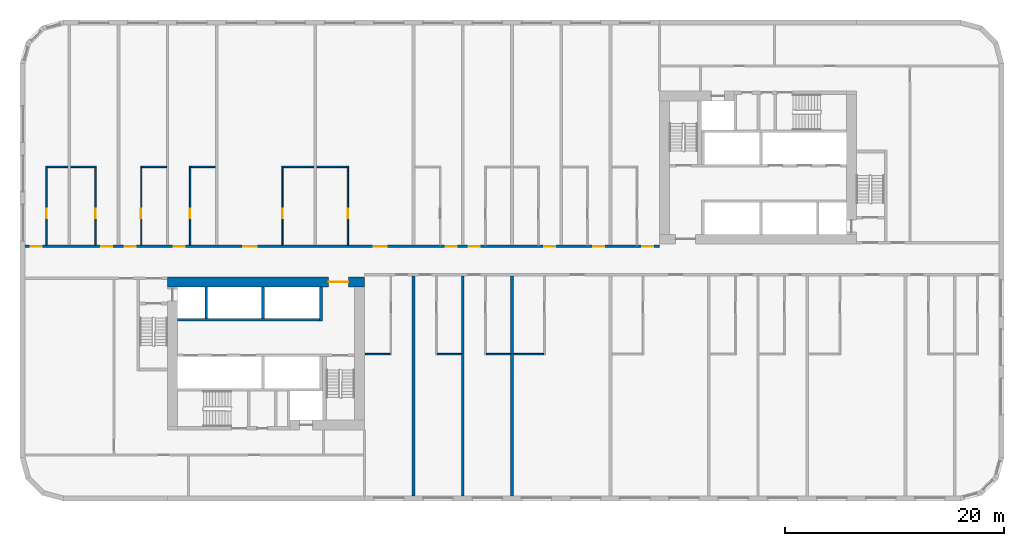
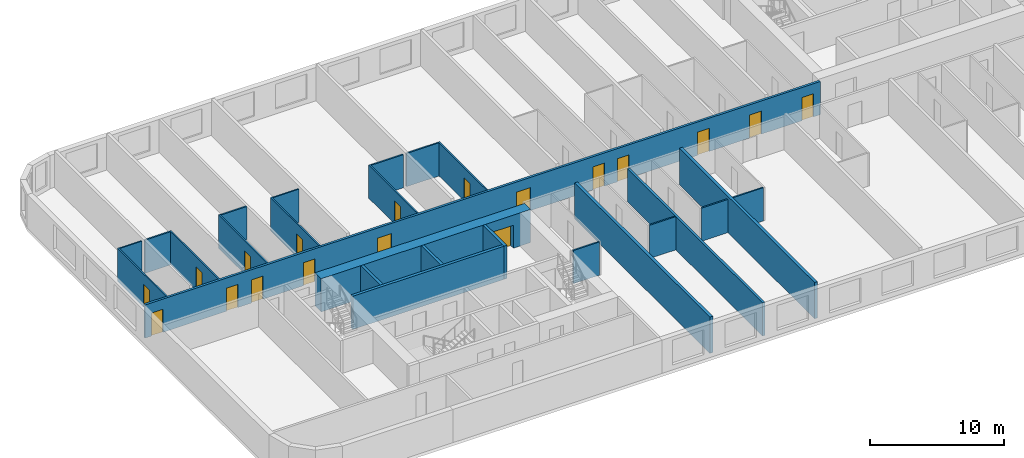
# One storey, part 3 of 12: 25 walls, 18 doors, 18 openings.
"""IFC4 building model written with IfcOpenShell, lengths in metres."""

from ifc_helpers import new_model, si_unit, direction, frame, frame_2d, origin, place, context, subcontext, project, spatial, rectangle, extrude, material, layer, layer_set, type_object, element, fill, save


model = new_model("IFC4")

# Units and contexts
model_context = context("Model", 3, precision=1e-05, world=origin(), true_north=direction((0.0, 1.0)))
body_context = subcontext(model_context, "Body", "Model", "MODEL_VIEW")
ifc_project = project(units=[si_unit("LENGTHUNIT", "METRE"), si_unit("AREAUNIT", "SQUARE_METRE"), si_unit("VOLUMEUNIT", "CUBIC_METRE"), si_unit("PLANEANGLEUNIT", "RADIAN"), si_unit("MASSUNIT", "GRAM", prefix="KILO")], contexts=[model_context])

# Site, building, storey
site_placement = place(None, origin())
site = spatial("IfcSite", under=ifc_project, at=site_placement, CompositionType="ELEMENT")
building_placement = place(site_placement, origin())
building = spatial("IfcBuilding", under=site, at=building_placement, Name="Kajstack Hotel Tower", CompositionType="ELEMENT")
storey_placement = place(building_placement, frame((0.0, 0.0, 76.5)))
storey = spatial("IfcBuildingStorey", under=building, at=storey_placement, Name="L14", CompositionType="ELEMENT", Elevation=76.5)

# Wall, opening, door
ifc_material_1 = material(Name="Concrete C60/75", Category="concrete")
ifc_layer_1 = layer(ifc_material_1, 0.89990234375)
ifc_layer_set_1 = layer_set([ifc_layer_1], Name="Core wall 900")
wall_type_1 = type_object("IfcWallType", Name="Core wall 900", PredefinedType="SHEAR", material=ifc_layer_set_1)
wall_1_placement = place(storey_placement, frame((-31.5, -1.949951171875, 0.0), z_axis=(0.0, 0.0, 1.0), x_axis=(1.0, 0.0, 0.0)))
wall_1 = element("IfcWall", 1, at=wall_1_placement, inside=storey, type_object=wall_type_1, Name="Core wall W RN", PredefinedType="SHEAR", context=body_context, shape_type="SweptSolid", body=[
    extrude(rectangle(XDim=18.0, YDim=0.89990234375, at=frame_2d((9.0, 0.0))), origin(), (0.0, 0.0, 1.0), 3.02001953125),
])
opening_1_placement = place(wall_1_placement, frame((14.72509765625, 0.0, 0.0)))
opening_1 = element("IfcOpeningElement", 2, at=opening_1_placement, cuts=wall_1, Name="Opening 14W06", PredefinedType="OPENING", context=body_context, shape_type="SweptSolid", body=[
    extrude(rectangle(XDim=1.800048828125, YDim=2.10009765625, at=frame_2d((0.89990234375, 1.050048828125))), frame((0.0, 0.4599609375, 0.0), z_axis=(0.0, -1.0, 0.0), x_axis=(1.0, 0.0, 0.0)), (0.0, 0.0, 1.0), 0.919921875),
])
ifc_material_2 = material(Name="Glazed steel frame, fire-rated glass", Category="steel")
door_type_1 = type_object("IfcDoorType", Name="Lobby double door 1800", OperationType="DOUBLE_DOOR_DOUBLE_SWING", PredefinedType="DOOR", material=ifc_material_2)
door_1_placement = place(opening_1_placement, origin())
door_1 = element("IfcDoor", 3, at=door_1_placement, inside=storey, type_object=door_type_1, Name="Door 14W06", OperationType="DOUBLE_DOOR_DOUBLE_SWING", OverallHeight=2.10009765625, OverallWidth=1.800048828125, PredefinedType="DOOR", context=body_context, shape_type="SweptSolid", body=[
    extrude(rectangle(XDim=1.800048828125, YDim=2.10009765625, at=frame_2d((0.89990234375, 1.050048828125))), frame((0.0, 0.02490234375, 0.0), z_axis=(0.0, -1.0, 0.0), x_axis=(1.0, 0.0, 0.0)), (0.0, 0.0, 1.0), 0.050048828125),
])
fill(opening_1, door_1)

# Wall, openings, doors
ifc_material_3 = material(Name="Gypsum board on steel studs, mineral wool", Category="steel")
ifc_layer_2 = layer(ifc_material_3, 0.199951171875)
ifc_layer_set_2 = layer_set([ifc_layer_2], Name="Corridor wall 200")
wall_type_2 = type_object("IfcWallType", Name="Corridor wall 200", PredefinedType="PARTITIONING", material=ifc_layer_set_2)
wall_2_placement = place(storey_placement, frame((-44.550048828125, 1.300048828125, 0.0), z_axis=(0.0, 0.0, 1.0), x_axis=(1.0, 0.0, 0.0)))
wall_2 = element("IfcWall", 4, at=wall_2_placement, inside=storey, type_object=wall_type_2, Name="G-wall-L14-003", PredefinedType="PARTITIONING", context=body_context, shape_type="SweptSolid", body=[
    extrude(rectangle(XDim=58.050048828125, YDim=0.199951171875, at=frame_2d((29.02490234375, 0.0))), origin(), (0.0, 0.0, 1.0), 3.02001953125),
])
opening_2_placement = place(wall_2_placement, frame((0.52490234375, 0.0, 0.0)))
opening_2 = element("IfcOpeningElement", 5, at=opening_2_placement, cuts=wall_2, Name="Opening 14001", PredefinedType="OPENING", context=body_context, shape_type="SweptSolid", body=[
    extrude(rectangle(XDim=1.0, YDim=2.10009765625, at=frame_2d((0.5, 1.050048828125))), frame((0.0, 0.10986328125, 0.0), z_axis=(0.0, -1.0, 0.0), x_axis=(1.0, 0.0, 0.0)), (0.0, 0.0, 1.0), 0.219970703125),
])
opening_3_placement = place(wall_2_placement, frame((6.97509765625, 0.0, 0.0)))
opening_3 = element("IfcOpeningElement", 6, at=opening_3_placement, cuts=wall_2, Name="Opening 14003", PredefinedType="OPENING", context=body_context, shape_type="SweptSolid", body=[
    extrude(rectangle(XDim=1.0, YDim=2.10009765625, at=frame_2d((0.5, 1.050048828125))), frame((0.0, 0.10986328125, 0.0), z_axis=(0.0, -1.0, 0.0), x_axis=(1.0, 0.0, 0.0)), (0.0, 0.0, 1.0), 0.219970703125),
])
opening_4_placement = place(wall_2_placement, frame((9.125, 0.0, 0.0)))
opening_4 = element("IfcOpeningElement", 7, at=opening_4_placement, cuts=wall_2, Name="Opening 14005", PredefinedType="OPENING", context=body_context, shape_type="SweptSolid", body=[
    extrude(rectangle(XDim=1.0, YDim=2.10009765625, at=frame_2d((0.5, 1.050048828125))), frame((0.0, 0.10986328125, 0.0), z_axis=(0.0, -1.0, 0.0), x_axis=(1.0, 0.0, 0.0)), (0.0, 0.0, 1.0), 0.219970703125),
])
opening_5_placement = place(wall_2_placement, frame((13.60009765625, 0.0, 0.0)))
opening_5 = element("IfcOpeningElement", 8, at=opening_5_placement, cuts=wall_2, Name="Opening 14007", PredefinedType="OPENING", context=body_context, shape_type="SweptSolid", body=[
    extrude(rectangle(XDim=1.0, YDim=2.10009765625, at=frame_2d((0.5, 1.050048828125))), frame((0.0, 0.10986328125, 0.0), z_axis=(0.0, -1.0, 0.0), x_axis=(1.0, 0.0, 0.0)), (0.0, 0.0, 1.0), 0.219970703125),
])
opening_6_placement = place(wall_2_placement, frame((19.987060546875, 0.0, 0.0)))
opening_6 = element("IfcOpeningElement", 9, at=opening_6_placement, cuts=wall_2, Name="Opening 14009", PredefinedType="OPENING", context=body_context, shape_type="SweptSolid", body=[
    extrude(rectangle(XDim=1.199951171875, YDim=2.10009765625, at=frame_2d((0.60009765625, 1.050048828125))), frame((0.0, 0.10986328125, 0.0), z_axis=(0.0, -1.0, 0.0), x_axis=(1.0, 0.0, 0.0)), (0.0, 0.0, 1.0), 0.219970703125),
])
opening_7_placement = place(wall_2_placement, frame((31.912109375, 0.0, 0.0)))
opening_7 = element("IfcOpeningElement", 10, at=opening_7_placement, cuts=wall_2, Name="Opening 14011", PredefinedType="OPENING", context=body_context, shape_type="SweptSolid", body=[
    extrude(rectangle(XDim=1.199951171875, YDim=2.10009765625, at=frame_2d((0.60009765625, 1.050048828125))), frame((0.0, 0.10986328125, 0.0), z_axis=(0.0, -1.0, 0.0), x_axis=(1.0, 0.0, 0.0)), (0.0, 0.0, 1.0), 0.219970703125),
])
opening_8_placement = place(wall_2_placement, frame((38.5, 0.0, 0.0)))
opening_8 = element("IfcOpeningElement", 11, at=opening_8_placement, cuts=wall_2, Name="Opening 14013", PredefinedType="OPENING", context=body_context, shape_type="SweptSolid", body=[
    extrude(rectangle(XDim=1.0, YDim=2.10009765625, at=frame_2d((0.5, 1.050048828125))), frame((0.0, 0.10986328125, 0.0), z_axis=(0.0, -1.0, 0.0), x_axis=(1.0, 0.0, 0.0)), (0.0, 0.0, 1.0), 0.219970703125),
])
opening_9_placement = place(wall_2_placement, frame((40.60009765625, 0.0, 0.0)))
opening_9 = element("IfcOpeningElement", 12, at=opening_9_placement, cuts=wall_2, Name="Opening 14015", PredefinedType="OPENING", context=body_context, shape_type="SweptSolid", body=[
    extrude(rectangle(XDim=1.0, YDim=2.10009765625, at=frame_2d((0.5, 1.050048828125))), frame((0.0, 0.10986328125, 0.0), z_axis=(0.0, -1.0, 0.0), x_axis=(1.0, 0.0, 0.0)), (0.0, 0.0, 1.0), 0.219970703125),
])
opening_10_placement = place(wall_2_placement, frame((47.5, 0.0, 0.0)))
opening_10 = element("IfcOpeningElement", 13, at=opening_10_placement, cuts=wall_2, Name="Opening 14017", PredefinedType="OPENING", context=body_context, shape_type="SweptSolid", body=[
    extrude(rectangle(XDim=1.0, YDim=2.10009765625, at=frame_2d((0.5, 1.050048828125))), frame((0.0, 0.10986328125, 0.0), z_axis=(0.0, -1.0, 0.0), x_axis=(1.0, 0.0, 0.0)), (0.0, 0.0, 1.0), 0.219970703125),
])
opening_11_placement = place(wall_2_placement, frame((51.97509765625, 0.0, 0.0)))
opening_11 = element("IfcOpeningElement", 14, at=opening_11_placement, cuts=wall_2, Name="Opening 14019", PredefinedType="OPENING", context=body_context, shape_type="SweptSolid", body=[
    extrude(rectangle(XDim=1.0, YDim=2.10009765625, at=frame_2d((0.5, 1.050048828125))), frame((0.0, 0.10986328125, 0.0), z_axis=(0.0, -1.0, 0.0), x_axis=(1.0, 0.0, 0.0)), (0.0, 0.0, 1.0), 0.219970703125),
])
opening_12_placement = place(wall_2_placement, frame((56.47509765625, 0.0, 0.0)))
opening_12 = element("IfcOpeningElement", 15, at=opening_12_placement, cuts=wall_2, Name="Opening 14021", PredefinedType="OPENING", context=body_context, shape_type="SweptSolid", body=[
    extrude(rectangle(XDim=1.0, YDim=2.10009765625, at=frame_2d((0.5, 1.050048828125))), frame((0.0, 0.10986328125, 0.0), z_axis=(0.0, -1.0, 0.0), x_axis=(1.0, 0.0, 0.0)), (0.0, 0.0, 1.0), 0.219970703125),
])
ifc_material_4 = material(Name="Oak veneer on timber core, fire-rated leaf", Category="wood")
door_type_2 = type_object("IfcDoorType", Name="Flat entrance door 1000", OperationType="SINGLE_SWING_LEFT", PredefinedType="DOOR", material=ifc_material_4)
door_2_placement = place(opening_2_placement, origin())
door_2 = element("IfcDoor", 16, at=door_2_placement, inside=storey, type_object=door_type_2, Name="G-door-L14-01", OperationType="SINGLE_SWING_RIGHT", OverallHeight=2.10009765625, OverallWidth=1.0, PredefinedType="DOOR", context=body_context, shape_type="SweptSolid", body=[
    extrude(rectangle(XDim=1.0, YDim=2.10009765625, at=frame_2d((0.5, 1.050048828125))), frame((0.0, 0.02490234375, 0.0), z_axis=(0.0, -1.0, 0.0), x_axis=(1.0, 0.0, 0.0)), (0.0, 0.0, 1.0), 0.050048828125),
])
fill(opening_2, door_2)
door_3_placement = place(opening_3_placement, origin())
door_3 = element("IfcDoor", 17, at=door_3_placement, inside=storey, type_object=door_type_2, Name="G-door-L14-03", OperationType="SINGLE_SWING_LEFT", OverallHeight=2.10009765625, OverallWidth=1.0, PredefinedType="DOOR", context=body_context, shape_type="SweptSolid", body=[
    extrude(rectangle(XDim=1.0, YDim=2.10009765625, at=frame_2d((0.5, 1.050048828125))), frame((0.0, 0.02490234375, 0.0), z_axis=(0.0, -1.0, 0.0), x_axis=(1.0, 0.0, 0.0)), (0.0, 0.0, 1.0), 0.050048828125),
])
fill(opening_3, door_3)
door_4_placement = place(opening_4_placement, origin())
door_4 = element("IfcDoor", 18, at=door_4_placement, inside=storey, type_object=door_type_2, Name="G-door-L14-05", OperationType="SINGLE_SWING_RIGHT", OverallHeight=2.10009765625, OverallWidth=1.0, PredefinedType="DOOR", context=body_context, shape_type="SweptSolid", body=[
    extrude(rectangle(XDim=1.0, YDim=2.10009765625, at=frame_2d((0.5, 1.050048828125))), frame((0.0, 0.02490234375, 0.0), z_axis=(0.0, -1.0, 0.0), x_axis=(1.0, 0.0, 0.0)), (0.0, 0.0, 1.0), 0.050048828125),
])
fill(opening_4, door_4)
door_5_placement = place(opening_5_placement, origin())
door_5 = element("IfcDoor", 19, at=door_5_placement, inside=storey, type_object=door_type_2, Name="G-door-L14-07", OperationType="SINGLE_SWING_RIGHT", OverallHeight=2.10009765625, OverallWidth=1.0, PredefinedType="DOOR", context=body_context, shape_type="SweptSolid", body=[
    extrude(rectangle(XDim=1.0, YDim=2.10009765625, at=frame_2d((0.5, 1.050048828125))), frame((0.0, 0.02490234375, 0.0), z_axis=(0.0, -1.0, 0.0), x_axis=(1.0, 0.0, 0.0)), (0.0, 0.0, 1.0), 0.050048828125),
])
fill(opening_5, door_5)
door_6_placement = place(opening_8_placement, origin())
door_6 = element("IfcDoor", 20, at=door_6_placement, inside=storey, type_object=door_type_2, Name="G-door-L14-13", OperationType="SINGLE_SWING_RIGHT", OverallHeight=2.10009765625, OverallWidth=1.0, PredefinedType="DOOR", context=body_context, shape_type="SweptSolid", body=[
    extrude(rectangle(XDim=1.0, YDim=2.10009765625, at=frame_2d((0.5, 1.050048828125))), frame((0.0, 0.02490234375, 0.0), z_axis=(0.0, -1.0, 0.0), x_axis=(1.0, 0.0, 0.0)), (0.0, 0.0, 1.0), 0.050048828125),
])
fill(opening_8, door_6)
door_7_placement = place(opening_9_placement, origin())
door_7 = element("IfcDoor", 21, at=door_7_placement, inside=storey, type_object=door_type_2, Name="G-door-L14-15", OperationType="SINGLE_SWING_RIGHT", OverallHeight=2.10009765625, OverallWidth=1.0, PredefinedType="DOOR", context=body_context, shape_type="SweptSolid", body=[
    extrude(rectangle(XDim=1.0, YDim=2.10009765625, at=frame_2d((0.5, 1.050048828125))), frame((0.0, 0.02490234375, 0.0), z_axis=(0.0, -1.0, 0.0), x_axis=(1.0, 0.0, 0.0)), (0.0, 0.0, 1.0), 0.050048828125),
])
fill(opening_9, door_7)
door_8_placement = place(opening_10_placement, origin())
door_8 = element("IfcDoor", 22, at=door_8_placement, inside=storey, type_object=door_type_2, Name="G-door-L14-17", OperationType="SINGLE_SWING_RIGHT", OverallHeight=2.10009765625, OverallWidth=1.0, PredefinedType="DOOR", context=body_context, shape_type="SweptSolid", body=[
    extrude(rectangle(XDim=1.0, YDim=2.10009765625, at=frame_2d((0.5, 1.050048828125))), frame((0.0, 0.02490234375, 0.0), z_axis=(0.0, -1.0, 0.0), x_axis=(1.0, 0.0, 0.0)), (0.0, 0.0, 1.0), 0.050048828125),
])
fill(opening_10, door_8)
door_9_placement = place(opening_11_placement, origin())
door_9 = element("IfcDoor", 23, at=door_9_placement, inside=storey, type_object=door_type_2, Name="G-door-L14-19", OperationType="SINGLE_SWING_LEFT", OverallHeight=2.10009765625, OverallWidth=1.0, PredefinedType="DOOR", context=body_context, shape_type="SweptSolid", body=[
    extrude(rectangle(XDim=1.0, YDim=2.10009765625, at=frame_2d((0.5, 1.050048828125))), frame((0.0, 0.02490234375, 0.0), z_axis=(0.0, -1.0, 0.0), x_axis=(1.0, 0.0, 0.0)), (0.0, 0.0, 1.0), 0.050048828125),
])
fill(opening_11, door_9)
door_10_placement = place(opening_12_placement, origin())
door_10 = element("IfcDoor", 24, at=door_10_placement, inside=storey, type_object=door_type_2, Name="G-door-L14-21", OperationType="SINGLE_SWING_LEFT", OverallHeight=2.10009765625, OverallWidth=1.0, PredefinedType="DOOR", context=body_context, shape_type="SweptSolid", body=[
    extrude(rectangle(XDim=1.0, YDim=2.10009765625, at=frame_2d((0.5, 1.050048828125))), frame((0.0, 0.02490234375, 0.0), z_axis=(0.0, -1.0, 0.0), x_axis=(1.0, 0.0, 0.0)), (0.0, 0.0, 1.0), 0.050048828125),
])
fill(opening_12, door_10)
door_type_3 = type_object("IfcDoorType", Name="Flat entrance door 1200", OperationType="SINGLE_SWING_LEFT", PredefinedType="DOOR", material=ifc_material_4)
door_11_placement = place(opening_6_placement, origin())
door_11 = element("IfcDoor", 25, at=door_11_placement, inside=storey, type_object=door_type_3, Name="G-door-L14-09", OperationType="SINGLE_SWING_RIGHT", OverallHeight=2.10009765625, OverallWidth=1.199951171875, PredefinedType="DOOR", context=body_context, shape_type="SweptSolid", body=[
    extrude(rectangle(XDim=1.199951171875, YDim=2.10009765625, at=frame_2d((0.60009765625, 1.050048828125))), frame((0.0, 0.02490234375, 0.0), z_axis=(0.0, -1.0, 0.0), x_axis=(1.0, 0.0, 0.0)), (0.0, 0.0, 1.0), 0.050048828125),
])
fill(opening_6, door_11)
door_12_placement = place(opening_7_placement, origin())
door_12 = element("IfcDoor", 26, at=door_12_placement, inside=storey, type_object=door_type_3, Name="G-door-L14-11", OperationType="SINGLE_SWING_RIGHT", OverallHeight=2.10009765625, OverallWidth=1.199951171875, PredefinedType="DOOR", context=body_context, shape_type="SweptSolid", body=[
    extrude(rectangle(XDim=1.199951171875, YDim=2.10009765625, at=frame_2d((0.60009765625, 1.050048828125))), frame((0.0, 0.02490234375, 0.0), z_axis=(0.0, -1.0, 0.0), x_axis=(1.0, 0.0, 0.0)), (0.0, 0.0, 1.0), 0.050048828125),
])
fill(opening_7, door_12)

# Wall
ifc_material_5 = material(Name="Twin-frame gypsum board on steel studs, mineral wool", Category="steel")
ifc_layer_3 = layer(ifc_material_5, 0.199951171875)
ifc_layer_set_3 = layer_set([ifc_layer_3], Name="Demising wall 200")
wall_type_3 = type_object("IfcWallType", Name="Demising wall 200", PredefinedType="PARTITIONING", material=ifc_layer_set_3)
wall_3_placement = place(storey_placement, frame((-4.5, -21.550048828125, 0.0), z_axis=(0.0, 0.0, 1.0), x_axis=(0.0, 1.0, 0.0)))
element("IfcWall", 27, at=wall_3_placement, inside=storey, type_object=wall_type_3, Name="G-wall-L14-032", PredefinedType="PARTITIONING", context=body_context, shape_type="SweptSolid", body=[
    extrude(rectangle(XDim=20.150146484375, YDim=0.199951171875, at=frame_2d((10.0751953125, 0.0))), origin(), (0.0, 0.0, 1.0), 3.02001953125),
])

# Wall, opening, door
ifc_material_6 = material(Name="Gypsum board and tiled backer on steel studs", Category="steel")
ifc_layer_4 = layer(ifc_material_6, 0.125)
ifc_layer_set_4 = layer_set([ifc_layer_4], Name="En-suite wall 125")
wall_type_4 = type_object("IfcWallType", Name="En-suite wall 125", PredefinedType="PARTITIONING", material=ifc_layer_set_4)
wall_4_placement = place(storey_placement, frame((-42.5869140625, 1.39990234375, 0.0), z_axis=(0.0, 0.0, 1.0), x_axis=(0.0, 1.0, 0.0)))
wall_4 = element("IfcWall", 28, at=wall_4_placement, inside=storey, type_object=wall_type_4, Name="G-wall-L14-004", PredefinedType="PARTITIONING", context=body_context, shape_type="SweptSolid", body=[
    extrude(rectangle(XDim=7.22509765625, YDim=0.125, at=frame_2d((3.612548828125, 0.0))), origin(), (0.0, 0.0, 1.0), 3.02001953125),
])
opening_13_placement = place(wall_4_placement, frame((2.449951171875, 0.0, 0.0)))
opening_13 = element("IfcOpeningElement", 29, at=opening_13_placement, cuts=wall_4, Name="Opening 14002", PredefinedType="OPENING", context=body_context, shape_type="SweptSolid", body=[
    extrude(rectangle(XDim=0.89990234375, YDim=2.10009765625, at=frame_2d((0.449951171875, 1.050048828125))), frame((0.0, 0.072509765625, 0.0), z_axis=(0.0, -1.0, 0.0), x_axis=(1.0, 0.0, 0.0)), (0.0, 0.0, 1.0), 0.14501953125),
])
ifc_material_7 = material(Name="Painted timber door leaf", Category="wood")
door_type_4 = type_object("IfcDoorType", Name="Room door 900", OperationType="SINGLE_SWING_LEFT", PredefinedType="DOOR", material=ifc_material_7)
door_13_placement = place(opening_13_placement, origin())
door_13 = element("IfcDoor", 30, at=door_13_placement, inside=storey, type_object=door_type_4, Name="G-door-L14-02", OperationType="SINGLE_SWING_LEFT", OverallHeight=2.10009765625, OverallWidth=0.89990234375, PredefinedType="DOOR", context=body_context, shape_type="SweptSolid", body=[
    extrude(rectangle(XDim=0.89990234375, YDim=2.10009765625, at=frame_2d((0.449951171875, 1.050048828125))), frame((0.0, 0.02490234375, 0.0), z_axis=(0.0, -1.0, 0.0), x_axis=(1.0, 0.0, 0.0)), (0.0, 0.0, 1.0), 0.050048828125),
])
fill(opening_13, door_13)

# Wall
wall_5_placement = place(storey_placement, frame((-42.52490234375, 8.56201171875, 0.0), z_axis=(0.0, 0.0, 1.0), x_axis=(1.0, 0.0, 0.0)))
element("IfcWall", 31, at=wall_5_placement, inside=storey, type_object=wall_type_4, Name="G-wall-L14-005", PredefinedType="PARTITIONING", context=body_context, shape_type="SweptSolid", body=[
    extrude(rectangle(XDim=1.89990234375, YDim=0.125, at=frame_2d((0.949951171875, 0.0))), origin(), (0.0, 0.0, 1.0), 3.02001953125),
])

# Wall, opening, door
wall_6_placement = place(storey_placement, frame((-38.0869140625, 1.39990234375, 0.0), z_axis=(0.0, 0.0, 1.0), x_axis=(0.0, 1.0, 0.0)))
wall_6 = element("IfcWall", 32, at=wall_6_placement, inside=storey, type_object=wall_type_4, Name="G-wall-L14-006", PredefinedType="PARTITIONING", context=body_context, shape_type="SweptSolid", body=[
    extrude(rectangle(XDim=7.22509765625, YDim=0.125, at=frame_2d((3.612548828125, 0.0))), origin(), (0.0, 0.0, 1.0), 3.02001953125),
])
opening_14_placement = place(wall_6_placement, frame((2.449951171875, 0.0, 0.0)))
opening_14 = element("IfcOpeningElement", 33, at=opening_14_placement, cuts=wall_6, Name="Opening 14004", PredefinedType="OPENING", context=body_context, shape_type="SweptSolid", body=[
    extrude(rectangle(XDim=0.89990234375, YDim=2.10009765625, at=frame_2d((0.449951171875, 1.050048828125))), frame((0.0, 0.072509765625, 0.0), z_axis=(0.0, -1.0, 0.0), x_axis=(1.0, 0.0, 0.0)), (0.0, 0.0, 1.0), 0.14501953125),
])
door_14_placement = place(opening_14_placement, origin())
door_14 = element("IfcDoor", 34, at=door_14_placement, inside=storey, type_object=door_type_4, Name="G-door-L14-04", OperationType="SINGLE_SWING_RIGHT", OverallHeight=2.10009765625, OverallWidth=0.89990234375, PredefinedType="DOOR", context=body_context, shape_type="SweptSolid", body=[
    extrude(rectangle(XDim=0.89990234375, YDim=2.10009765625, at=frame_2d((0.449951171875, 1.050048828125))), frame((0.0, 0.02490234375, 0.0), z_axis=(0.0, -1.0, 0.0), x_axis=(1.0, 0.0, 0.0)), (0.0, 0.0, 1.0), 0.050048828125),
])
fill(opening_14, door_14)

# Wall
wall_7_placement = place(storey_placement, frame((-40.375, 8.56201171875, 0.0), z_axis=(0.0, 0.0, 1.0), x_axis=(1.0, 0.0, 0.0)))
element("IfcWall", 35, at=wall_7_placement, inside=storey, type_object=wall_type_4, Name="G-wall-L14-007", PredefinedType="PARTITIONING", context=body_context, shape_type="SweptSolid", body=[
    extrude(rectangle(XDim=2.22509765625, YDim=0.125, at=frame_2d((1.112548828125, 0.0))), origin(), (0.0, 0.0, 1.0), 3.02001953125),
])

# Wall, opening, door
wall_8_placement = place(storey_placement, frame((-33.9130859375, 1.39990234375, 0.0), z_axis=(0.0, 0.0, 1.0), x_axis=(0.0, 1.0, 0.0)))
wall_8 = element("IfcWall", 36, at=wall_8_placement, inside=storey, type_object=wall_type_4, Name="G-wall-L14-009", PredefinedType="PARTITIONING", context=body_context, shape_type="SweptSolid", body=[
    extrude(rectangle(XDim=7.22509765625, YDim=0.125, at=frame_2d((3.612548828125, 0.0))), origin(), (0.0, 0.0, 1.0), 3.02001953125),
])
opening_15_placement = place(wall_8_placement, frame((2.449951171875, 0.0, 0.0)))
opening_15 = element("IfcOpeningElement", 37, at=opening_15_placement, cuts=wall_8, Name="Opening 14006", PredefinedType="OPENING", context=body_context, shape_type="SweptSolid", body=[
    extrude(rectangle(XDim=0.89990234375, YDim=2.10009765625, at=frame_2d((0.449951171875, 1.050048828125))), frame((0.0, 0.072509765625, 0.0), z_axis=(0.0, -1.0, 0.0), x_axis=(1.0, 0.0, 0.0)), (0.0, 0.0, 1.0), 0.14501953125),
])
door_15_placement = place(opening_15_placement, origin())
door_15 = element("IfcDoor", 38, at=door_15_placement, inside=storey, type_object=door_type_4, Name="G-door-L14-06", OperationType="SINGLE_SWING_RIGHT", OverallHeight=2.10009765625, OverallWidth=0.89990234375, PredefinedType="DOOR", context=body_context, shape_type="SweptSolid", body=[
    extrude(rectangle(XDim=0.89990234375, YDim=2.10009765625, at=frame_2d((0.449951171875, 1.050048828125))), frame((0.0, 0.02490234375, 0.0), z_axis=(0.0, -1.0, 0.0), x_axis=(1.0, 0.0, 0.0)), (0.0, 0.0, 1.0), 0.050048828125),
])
fill(opening_15, door_15)

# Wall
wall_9_placement = place(storey_placement, frame((-33.85009765625, 8.56201171875, 0.0), z_axis=(0.0, 0.0, 1.0), x_axis=(1.0, 0.0, 0.0)))
element("IfcWall", 39, at=wall_9_placement, inside=storey, type_object=wall_type_4, Name="G-wall-L14-010", PredefinedType="PARTITIONING", context=body_context, shape_type="SweptSolid", body=[
    extrude(rectangle(XDim=2.25, YDim=0.125, at=frame_2d((1.125, 0.0))), origin(), (0.0, 0.0, 1.0), 3.02001953125),
])

# Wall, opening, door
wall_10_placement = place(storey_placement, frame((-29.43798828125, 1.39990234375, 0.0), z_axis=(0.0, 0.0, 1.0), x_axis=(0.0, 1.0, 0.0)))
wall_10 = element("IfcWall", 40, at=wall_10_placement, inside=storey, type_object=wall_type_4, Name="G-wall-L14-011", PredefinedType="PARTITIONING", context=body_context, shape_type="SweptSolid", body=[
    extrude(rectangle(XDim=7.22509765625, YDim=0.125, at=frame_2d((3.612548828125, 0.0))), origin(), (0.0, 0.0, 1.0), 3.02001953125),
])
opening_16_placement = place(wall_10_placement, frame((2.449951171875, 0.0, 0.0)))
opening_16 = element("IfcOpeningElement", 41, at=opening_16_placement, cuts=wall_10, Name="Opening 14008", PredefinedType="OPENING", context=body_context, shape_type="SweptSolid", body=[
    extrude(rectangle(XDim=0.89990234375, YDim=2.10009765625, at=frame_2d((0.449951171875, 1.050048828125))), frame((0.0, 0.072509765625, 0.0), z_axis=(0.0, -1.0, 0.0), x_axis=(1.0, 0.0, 0.0)), (0.0, 0.0, 1.0), 0.14501953125),
])
door_16_placement = place(opening_16_placement, origin())
door_16 = element("IfcDoor", 42, at=door_16_placement, inside=storey, type_object=door_type_4, Name="G-door-L14-08", OperationType="SINGLE_SWING_LEFT", OverallHeight=2.10009765625, OverallWidth=0.89990234375, PredefinedType="DOOR", context=body_context, shape_type="SweptSolid", body=[
    extrude(rectangle(XDim=0.89990234375, YDim=2.10009765625, at=frame_2d((0.449951171875, 1.050048828125))), frame((0.0, 0.02490234375, 0.0), z_axis=(0.0, -1.0, 0.0), x_axis=(1.0, 0.0, 0.0)), (0.0, 0.0, 1.0), 0.050048828125),
])
fill(opening_16, door_16)

# Wall
wall_11_placement = place(storey_placement, frame((-29.375, 8.56201171875, 0.0), z_axis=(0.0, 0.0, 1.0), x_axis=(1.0, 0.0, 0.0)))
element("IfcWall", 43, at=wall_11_placement, inside=storey, type_object=wall_type_4, Name="G-wall-L14-012", PredefinedType="PARTITIONING", context=body_context, shape_type="SweptSolid", body=[
    extrude(rectangle(XDim=2.25, YDim=0.125, at=frame_2d((1.125, 0.0))), origin(), (0.0, 0.0, 1.0), 3.02001953125),
])

# Wall, opening, door
wall_12_placement = place(storey_placement, frame((-20.988037109375, 1.39990234375, 0.0), z_axis=(0.0, 0.0, 1.0), x_axis=(0.0, 1.0, 0.0)))
wall_12 = element("IfcWall", 44, at=wall_12_placement, inside=storey, type_object=wall_type_4, Name="G-wall-L14-013", PredefinedType="PARTITIONING", context=body_context, shape_type="SweptSolid", body=[
    extrude(rectangle(XDim=7.22509765625, YDim=0.125, at=frame_2d((3.612548828125, 0.0))), origin(), (0.0, 0.0, 1.0), 3.02001953125),
])
opening_17_placement = place(wall_12_placement, frame((2.449951171875, 0.0, 0.0)))
opening_17 = element("IfcOpeningElement", 45, at=opening_17_placement, cuts=wall_12, Name="Opening 14010", PredefinedType="OPENING", context=body_context, shape_type="SweptSolid", body=[
    extrude(rectangle(XDim=0.89990234375, YDim=2.10009765625, at=frame_2d((0.449951171875, 1.050048828125))), frame((0.0, 0.072509765625, 0.0), z_axis=(0.0, -1.0, 0.0), x_axis=(1.0, 0.0, 0.0)), (0.0, 0.0, 1.0), 0.14501953125),
])
door_17_placement = place(opening_17_placement, origin())
door_17 = element("IfcDoor", 46, at=door_17_placement, inside=storey, type_object=door_type_4, Name="G-door-L14-10", OperationType="SINGLE_SWING_RIGHT", OverallHeight=2.10009765625, OverallWidth=0.89990234375, PredefinedType="DOOR", context=body_context, shape_type="SweptSolid", body=[
    extrude(rectangle(XDim=0.89990234375, YDim=2.10009765625, at=frame_2d((0.449951171875, 1.050048828125))), frame((0.0, 0.02490234375, 0.0), z_axis=(0.0, -1.0, 0.0), x_axis=(1.0, 0.0, 0.0)), (0.0, 0.0, 1.0), 0.050048828125),
])
fill(opening_17, door_17)

# Wall
wall_13_placement = place(storey_placement, frame((-20.925048828125, 8.56201171875, 0.0), z_axis=(0.0, 0.0, 1.0), x_axis=(1.0, 0.0, 0.0)))
element("IfcWall", 47, at=wall_13_placement, inside=storey, type_object=wall_type_4, Name="G-wall-L14-014", PredefinedType="PARTITIONING", context=body_context, shape_type="SweptSolid", body=[
    extrude(rectangle(XDim=2.800048828125, YDim=0.125, at=frame_2d((1.39990234375, 0.0))), origin(), (0.0, 0.0, 1.0), 3.02001953125),
])

# Wall, opening, door
wall_14_placement = place(storey_placement, frame((-15.011962890625, 1.39990234375, 0.0), z_axis=(0.0, 0.0, 1.0), x_axis=(0.0, 1.0, 0.0)))
wall_14 = element("IfcWall", 48, at=wall_14_placement, inside=storey, type_object=wall_type_4, Name="G-wall-L14-015", PredefinedType="PARTITIONING", context=body_context, shape_type="SweptSolid", body=[
    extrude(rectangle(XDim=7.22509765625, YDim=0.125, at=frame_2d((3.612548828125, 0.0))), origin(), (0.0, 0.0, 1.0), 3.02001953125),
])
opening_18_placement = place(wall_14_placement, frame((2.449951171875, 0.0, 0.0)))
opening_18 = element("IfcOpeningElement", 49, at=opening_18_placement, cuts=wall_14, Name="Opening 14012", PredefinedType="OPENING", context=body_context, shape_type="SweptSolid", body=[
    extrude(rectangle(XDim=0.89990234375, YDim=2.10009765625, at=frame_2d((0.449951171875, 1.050048828125))), frame((0.0, 0.072509765625, 0.0), z_axis=(0.0, -1.0, 0.0), x_axis=(1.0, 0.0, 0.0)), (0.0, 0.0, 1.0), 0.14501953125),
])
door_18_placement = place(opening_18_placement, origin())
door_18 = element("IfcDoor", 50, at=door_18_placement, inside=storey, type_object=door_type_4, Name="G-door-L14-12", OperationType="SINGLE_SWING_RIGHT", OverallHeight=2.10009765625, OverallWidth=0.89990234375, PredefinedType="DOOR", context=body_context, shape_type="SweptSolid", body=[
    extrude(rectangle(XDim=0.89990234375, YDim=2.10009765625, at=frame_2d((0.449951171875, 1.050048828125))), frame((0.0, 0.02490234375, 0.0), z_axis=(0.0, -1.0, 0.0), x_axis=(1.0, 0.0, 0.0)), (0.0, 0.0, 1.0), 0.050048828125),
])
fill(opening_18, door_18)

# Walls
wall_15_placement = place(storey_placement, frame((-17.875, 8.56201171875, 0.0), z_axis=(0.0, 0.0, 1.0), x_axis=(1.0, 0.0, 0.0)))
element("IfcWall", 51, at=wall_15_placement, inside=storey, type_object=wall_type_4, Name="G-wall-L14-016", PredefinedType="PARTITIONING", context=body_context, shape_type="SweptSolid", body=[
    extrude(rectangle(XDim=2.800048828125, YDim=0.125, at=frame_2d((1.39990234375, 0.0))), origin(), (0.0, 0.0, 1.0), 3.02001953125),
])
for number, where, z_axis, x_axis, name in (
    (52, (-13.39990234375, -8.56201171875, 0.0), (0.0, 0.0, 1.0), (1.0, 0.0, 0.0), "G-wall-L14-031"),
    (53, (-6.85009765625, -8.56201171875, 0.0), (0.0, 0.0, 1.0), (1.0, 0.0, 0.0), "G-wall-L14-034"),
    (54, (-2.375, -8.56201171875, 0.0), (0.0, 0.0, 1.0), (1.0, 0.0, 0.0), "G-wall-L14-036"),
):
    element("IfcWall", number, at=place(storey_placement, frame(where, z_axis=z_axis, x_axis=x_axis)), inside=storey, type_object=wall_type_4, Name=name, PredefinedType="PARTITIONING", context=body_context, shape_type="SweptSolid", body=[
        extrude(rectangle(XDim=2.25, YDim=0.125, at=frame_2d((1.125, 0.0))), origin(), (0.0, 0.0, 1.0), 3.02001953125),
    ])
wall_16_placement = place(storey_placement, frame((0.125, -8.56201171875, 0.0), z_axis=(0.0, 0.0, 1.0), x_axis=(1.0, 0.0, 0.0)))
element("IfcWall", 55, at=wall_16_placement, inside=storey, type_object=wall_type_4, Name="G-wall-L14-038", PredefinedType="PARTITIONING", context=body_context, shape_type="SweptSolid", body=[
    extrude(rectangle(XDim=2.800048828125, YDim=0.125, at=frame_2d((1.39990234375, 0.0))), origin(), (0.0, 0.0, 1.0), 3.02001953125),
])
ifc_material_8 = material(Name="Concrete C50/60", Category="concrete")
ifc_layer_5 = layer(ifc_material_8, 0.300048828125)
ifc_layer_set_5 = layer_set([ifc_layer_5], Name="Hoistway divider wall 300")
wall_type_5 = type_object("IfcWallType", Name="Hoistway divider wall 300", PredefinedType="SHEAR", material=ifc_layer_set_5)
wall_17_placement = place(storey_placement, frame((-22.77490234375, -5.300048828125, 0.0), z_axis=(0.0, 0.0, 1.0), x_axis=(0.0, 1.0, 0.0)))
element("IfcWall", 56, at=wall_17_placement, inside=storey, type_object=wall_type_5, Name="Core wall W AP2", PredefinedType="SHEAR", context=body_context, shape_type="SweptSolid", body=[
    extrude(rectangle(XDim=2.900146484375, YDim=0.25, at=frame_2d((1.4501953125, 0.0))), origin(), (0.0, 0.0, 1.0), 3.02001953125),
])
ifc_layer_6 = layer(ifc_material_1, 0.25)
ifc_layer_set_6 = layer_set([ifc_layer_6], Name="RC cross wall 250 C60/75")
wall_type_6 = type_object("IfcWallType", Name="RC cross wall 250 C60/75", PredefinedType="SHEAR", material=ifc_layer_set_6)
for number, where, z_axis, x_axis, name in (
    (57, (-9.0, -21.5400390625, 0.0), (0.0, 0.0, 1.0), (0.0, 1.0, 0.0), "S-wall-L14-05"),
    (58, (0.0, -21.5400390625, 0.0), (0.0, 0.0, 1.0), (0.0, 1.0, 0.0), "S-wall-L14-07"),
):
    element("IfcWall", number, at=place(storey_placement, frame(where, z_axis=z_axis, x_axis=x_axis)), inside=storey, type_object=wall_type_6, Name=name, PredefinedType="SHEAR", context=body_context, shape_type="SweptSolid", body=[
        extrude(rectangle(XDim=20.14013671875, YDim=0.25, at=frame_2d((10.070068359375, 0.0))), origin(), (0.0, 0.0, 1.0), 3.300048828125),
    ])
ifc_layer_7 = layer(ifc_material_8, 0.25)
ifc_layer_set_7 = layer_set([ifc_layer_7], Name="Shaft wall 250")
wall_type_7 = type_object("IfcWallType", Name="Shaft wall 250", PredefinedType="SHEAR", material=ifc_layer_set_7)
wall_18_placement = place(storey_placement, frame((-30.60009765625, -5.425048828125, 0.0), z_axis=(0.0, 0.0, 1.0), x_axis=(1.0, 0.0, 0.0)))
element("IfcWall", 59, at=wall_18_placement, inside=storey, type_object=wall_type_7, Name="Core wall W FA", PredefinedType="SHEAR", context=body_context, shape_type="SweptSolid", body=[
    extrude(rectangle(XDim=13.0, YDim=0.25, at=frame_2d((6.5, 0.0))), origin(), (0.0, 0.0, 1.0), 3.02001953125),
])
wall_19_placement = place(storey_placement, frame((-17.47509765625, -5.550048828125, 0.0), z_axis=(0.0, 0.0, 1.0), x_axis=(0.0, 1.0, 0.0)))
element("IfcWall", 60, at=wall_19_placement, inside=storey, type_object=wall_type_7, Name="Core wall W AE", PredefinedType="SHEAR", context=body_context, shape_type="SweptSolid", body=[
    extrude(rectangle(XDim=3.150146484375, YDim=0.25, at=frame_2d((1.5751953125, 0.0))), origin(), (0.0, 0.0, 1.0), 3.02001953125),
])
wall_20_placement = place(storey_placement, frame((-27.97509765625, -5.300048828125, 0.0), z_axis=(0.0, 0.0, 1.0), x_axis=(0.0, 1.0, 0.0)))
element("IfcWall", 61, at=wall_20_placement, inside=storey, type_object=wall_type_7, Name="Core wall W AP0", PredefinedType="SHEAR", context=body_context, shape_type="SweptSolid", body=[
    extrude(rectangle(XDim=2.900146484375, YDim=0.25, at=frame_2d((1.4501953125, 0.0))), origin(), (0.0, 0.0, 1.0), 3.02001953125),
])

save(model, "model.ifc")
